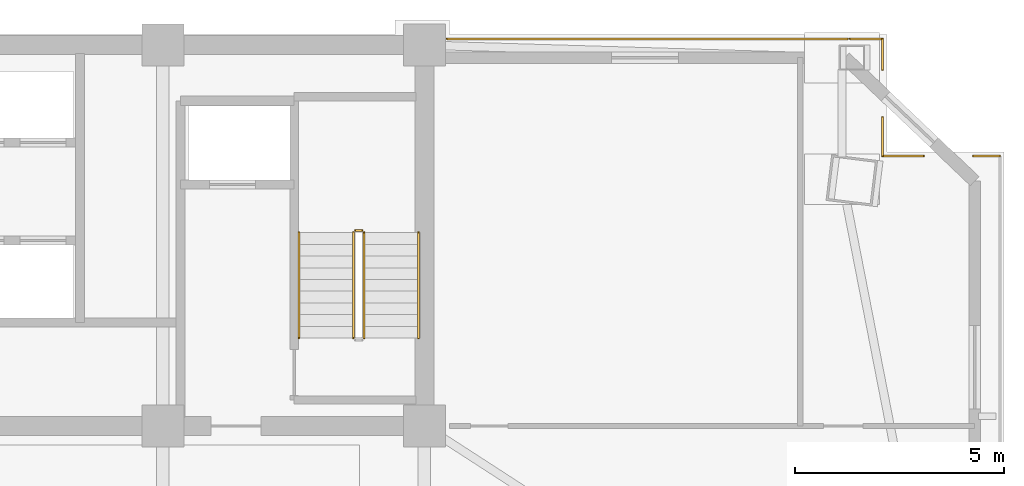
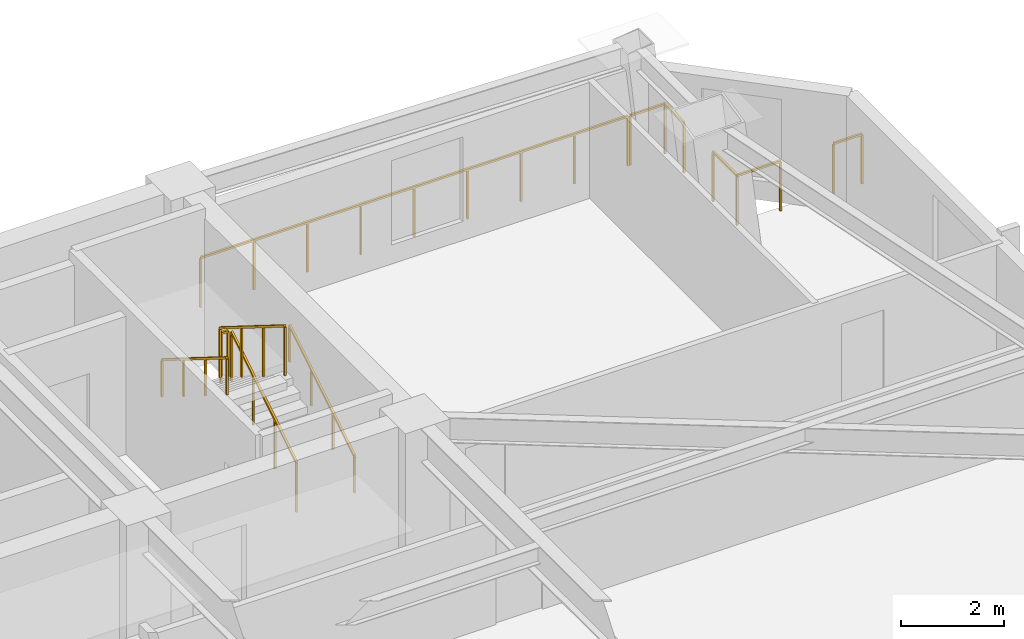
# One storey, part 16 of 16: 11 railings.
"""IFC4 building model written with IfcOpenShell, lengths in metres."""

import ifcopenshell
import ifcopenshell.guid

model = None  # the IFC model being written
_history = None  # IfcOwnerHistory: only IFC2X3 demands one
_inside = {}  # id of a spatial element -> (the spatial element, [elements in it])
_under = {}  # id of a project, library or spatial element -> (it, [spatial elements below it])
_declared = {}  # id of a project -> (the project, [libraries it declares])
_typed = {}  # id of a type object -> (the type object, [elements of that type])
_made_of = {}  # id of a material, layer set ... -> (it, [elements and type objects made of it])


def new_model(schema):
    """Start an empty IFC model of exactly this schema.

    Asked for "IFC4X3", IfcOpenShell would pick the latest addendum, in which some entities
    have other attributes; the version numbers below select the first issue.
    IFC2X3 requires an IfcOwnerHistory on every rooted entity: one is made here for all.
    """
    global model, _history
    if schema == "IFC4X3":
        model = ifcopenshell.file(schema_version=(4, 3, 0, 0))
    else:
        model = ifcopenshell.file(schema=schema)
    _inside.clear()
    _under.clear()
    _declared.clear()
    _typed.clear()
    _made_of.clear()
    _history = None
    if model.schema == "IFC2X3":
        org = make("IfcOrganization", Name="unknown")
        user = make(
            "IfcPersonAndOrganization",
            ThePerson=make("IfcPerson", FamilyName="unknown"),
            TheOrganization=org,
        )
        app = make(
            "IfcApplication",
            ApplicationDeveloper=org,
            Version="unknown",
            ApplicationFullName="unknown",
            ApplicationIdentifier="unknown",
        )
        _history = make(
            "IfcOwnerHistory",
            OwningUser=user,
            OwningApplication=app,
            ChangeAction="ADDED",
            CreationDate=0,
        )
    return model


def make(cls, **values):
    """One entity of the class cls with the attributes given. An attribute that is None is left unset."""
    return model.create_entity(
        cls, **{name: value for name, value in values.items() if value is not None}
    )


def rooted(cls, **values):
    """An entity with a GlobalId (a new one), such as an element, a storey or a relation."""
    return make(cls, GlobalId=ifcopenshell.guid.new(), OwnerHistory=_history, **values)


def si_unit(unit_type, name, prefix=None):
    """IfcSIUnit, for example si_unit("LENGTHUNIT", "METRE", prefix="MILLI")."""
    return make("IfcSIUnit", UnitType=unit_type, Prefix=prefix, Name=name)


def assignment(units):
    """IfcUnitAssignment: the units of a project."""
    return None if units is None else make("IfcUnitAssignment", Units=units)


def point(xyz):
    """IfcCartesianPoint."""
    return None if xyz is None else make("IfcCartesianPoint", Coordinates=xyz)


def direction(xyz):
    """IfcDirection."""
    return None if xyz is None else make("IfcDirection", DirectionRatios=xyz)


def frame(location, z_axis=None, x_axis=None):
    """IfcAxis2Placement3D, a coordinate frame: its origin and axes. An axis left out is left unset."""
    return make(
        "IfcAxis2Placement3D",
        Location=point(location),
        Axis=direction(z_axis),
        RefDirection=direction(x_axis),
    )


def frame_2d(location, x_axis=None):
    """IfcAxis2Placement2D, a coordinate frame in the plane: its origin and x axis."""
    return make(
        "IfcAxis2Placement2D", Location=point(location), RefDirection=direction(x_axis)
    )


def origin():
    """The frame at (0, 0, 0) with its axes left unset."""
    return frame((0.0, 0.0, 0.0))


def origin_2d():
    """The frame at (0, 0) in the plane with its x axis left unset."""
    return frame_2d((0.0, 0.0))


def place(relative_to, where):
    """IfcLocalPlacement: puts the frame where relative to a parent placement (None: the world)."""
    return make(
        "IfcLocalPlacement", PlacementRelTo=relative_to, RelativePlacement=where
    )


def context(
    kind, dimensions, precision=None, world=None, true_north=None, identifier=None
):
    """IfcGeometricRepresentationContext, for example the 3D "Model" context."""
    return make(
        "IfcGeometricRepresentationContext",
        ContextIdentifier=identifier,
        ContextType=kind,
        CoordinateSpaceDimension=dimensions,
        Precision=precision,
        WorldCoordinateSystem=world,
        TrueNorth=true_north,
    )


def subcontext(parent, identifier, kind, view, scale=None):
    """IfcGeometricRepresentationSubContext, for example "Body" below "Model"."""
    return make(
        "IfcGeometricRepresentationSubContext",
        ContextIdentifier=identifier,
        ContextType=kind,
        ParentContext=parent,
        TargetScale=scale,
        TargetView=view,
    )


def project(units=None, contexts=None):
    """IfcProject with its units and contexts."""
    return rooted(
        "IfcProject",
        Name="project",
        RepresentationContexts=contexts,
        UnitsInContext=assignment(units),
    )


def spatial(cls, under=None, at=None, **own):
    """A site, building, storey or space (cls), placed at a placement, below another one or the project."""
    s = rooted(cls, ObjectPlacement=at, **own)
    if under is not None:
        _under.setdefault(under.id(), (under, []))[1].append(s)
    return s


def profile(cls, at=None, kind="AREA", **sizes):
    """A parametric profile (cls). Its sizes go by their IFC names, for example OverallWidth=200.0."""
    return make(cls, ProfileType=kind, Position=at, **sizes)


def rectangle(**sizes):
    """IfcRectangleProfileDef."""
    return profile("IfcRectangleProfileDef", **sizes)


def extrude(swept, where, along, depth):
    """IfcExtrudedAreaSolid: the profile swept, set in the frame where, extruded along a direction by depth."""
    return make(
        "IfcExtrudedAreaSolid",
        SweptArea=swept,
        Position=where,
        ExtrudedDirection=direction(along),
        Depth=depth,
    )


def shape(context_of_items, identifier, shape_type, items):
    """IfcShapeRepresentation: the items that make up one representation, for example the "Body"."""
    return make(
        "IfcShapeRepresentation",
        ContextOfItems=context_of_items,
        RepresentationIdentifier=identifier,
        RepresentationType=shape_type,
        Items=items,
    )


def material(Name=None, Category=None):
    """IfcMaterial."""
    return make("IfcMaterial", Name=Name, Category=Category)


def made_of(thing, what):
    """Note that an element or type object is made of a material, layer set ...; save() writes the relation."""
    if what is not None:
        _made_of.setdefault(what.id(), (what, []))[1].append(thing)
    return thing


def type_object(cls, material=None, **own):
    """A type object (cls), such as IfcWallType, which elements share."""
    return made_of(rooted(cls, **own), material)


def element(
    cls,
    number,
    at=None,
    inside=None,
    cuts=None,
    type_object=None,
    material=None,
    context=None,
    identifier="Body",
    shape_type=None,
    held_by="IfcProductDefinitionShape",
    body=None,
    shapes=None,
    **own,
):
    """One element of the class cls, such as IfcWall. Its Tag is "e" and its number.

    at: its placement. inside: the storey or other place that contains it. cuts: it is an
    opening in that element (IfcRelVoidsElement). A single representation is given by context,
    identifier, shape_type and body (its items); several are given by shapes. held_by: the class
    of the entity that holds the representations. save() writes the other relations.
    """
    e = rooted(cls, Tag="e%d" % number, ObjectPlacement=at, **own)
    if body is not None:
        shapes = [shape(context, identifier, shape_type, body)]
    if shapes is not None:
        e.Representation = make(held_by, Representations=shapes)
    if inside is not None:
        _inside.setdefault(inside.id(), (inside, []))[1].append(e)
    if cuts is not None:
        rooted(
            "IfcRelVoidsElement", RelatingBuildingElement=cuts, RelatedOpeningElement=e
        )
    if type_object is not None:
        _typed.setdefault(type_object.id(), (type_object, []))[1].append(e)
    return made_of(e, material)


def aggregate(whole, parts):
    """IfcRelAggregates: a whole, such as a stair, and the parts it consists of."""
    return rooted("IfcRelAggregates", RelatingObject=whole, RelatedObjects=parts)


def save(model, path):
    """Write the relations noted so far, then the file.

    IfcRelAggregates (storeys below a building ...), IfcRelContainedInSpatialStructure (elements
    in a storey), IfcRelDefinesByType, IfcRelAssociatesMaterial and IfcRelDeclares: one each for
    every whole, place, type object, material and project.
    """
    for whole, parts in _under.values():
        aggregate(whole, parts)
    for where, things in _inside.values():
        rooted(
            "IfcRelContainedInSpatialStructure",
            RelatedElements=things,
            RelatingStructure=where,
        )
    for kind, things in _typed.values():
        rooted("IfcRelDefinesByType", RelatedObjects=things, RelatingType=kind)
    for what, things in _made_of.values():
        rooted("IfcRelAssociatesMaterial", RelatedObjects=things, RelatingMaterial=what)
    for by, libraries in _declared.values():
        rooted("IfcRelDeclares", RelatingContext=by, RelatedDefinitions=libraries)
    model.write(path)


model = new_model("IFC4")

# Units and contexts
model_context = context("Model", 3, precision=1e-05, world=origin(), true_north=direction((0.0, 1.0)))
body_context = subcontext(model_context, "Body", "Model", "MODEL_VIEW")
ifc_project = project(units=[si_unit("LENGTHUNIT", "METRE"), si_unit("AREAUNIT", "SQUARE_METRE"), si_unit("VOLUMEUNIT", "CUBIC_METRE"), si_unit("PLANEANGLEUNIT", "RADIAN"), si_unit("MASSUNIT", "GRAM", prefix="KILO")], contexts=[model_context])

# Site, building, storey
site_placement = place(None, origin())
site = spatial("IfcSite", under=ifc_project, at=site_placement, CompositionType="ELEMENT")
building_placement = place(site_placement, origin())
building = spatial("IfcBuilding", under=site, at=building_placement, Name="Giltprow Tower", CompositionType="ELEMENT")
storey_placement = place(building_placement, frame((0.0, 0.0, 209.699951171875)))
storey = spatial("IfcBuildingStorey", under=building, at=storey_placement, Name="L53", CompositionType="ELEMENT", Elevation=209.699951171875)

# Railings
ifc_material = material(Name="Anodized bronze", Category="metal")
railing_type_1 = type_object("IfcRailingType", Name="RAIL-BALC-GUARD-1200", PredefinedType="BALUSTRADE", material=ifc_material)
railing_1_placement = place(storey_placement, frame((51.0849609375, 46.699951171875, 0.0)))
element("IfcRailing", 1, at=railing_1_placement, inside=storey, type_object=railing_type_1, Name="L53 Corner Apron Edge Balustrade 20", PredefinedType="BALUSTRADE", context=body_context, shape_type="SweptSolid", body=[
    extrude(rectangle(XDim=0.048095703125, YDim=0.048095703125, at=origin_2d()), frame((0.0, 0.0, 1.17578125), z_axis=(1.0, 0.0, 0.0), x_axis=(0.0, 1.0, 0.0)), (0.0, 0.0, 1.0), 9.58203125),
    extrude(rectangle(XDim=0.0419921875, YDim=0.0419921875, at=origin_2d()), origin(), (0.0, 0.0, 1.0), 1.15185546875),
    extrude(rectangle(XDim=0.0419921875, YDim=0.0419921875, at=origin_2d()), frame((1.19775390625, 0.0, 0.0)), (0.0, 0.0, 1.0), 1.15185546875),
    extrude(rectangle(XDim=0.0419921875, YDim=0.0419921875, at=origin_2d()), frame((2.3955078125, 0.0, 0.0)), (0.0, 0.0, 1.0), 1.15185546875),
    extrude(rectangle(XDim=0.0419921875, YDim=0.0419921875, at=origin_2d()), frame((3.59326171875, 0.0, 0.0)), (0.0, 0.0, 1.0), 1.15185546875),
    extrude(rectangle(XDim=0.0419921875, YDim=0.0419921875, at=origin_2d()), frame((4.791015625, 0.0, 0.0)), (0.0, 0.0, 1.0), 1.15185546875),
    extrude(rectangle(XDim=0.0419921875, YDim=0.0419921875, at=origin_2d()), frame((5.98876953125, 0.0, 0.0)), (0.0, 0.0, 1.0), 1.15185546875),
    extrude(rectangle(XDim=0.0419921875, YDim=0.0419921875, at=origin_2d()), frame((7.1865234375, 0.0, 0.0)), (0.0, 0.0, 1.0), 1.15185546875),
    extrude(rectangle(XDim=0.0419921875, YDim=0.0419921875, at=origin_2d()), frame((8.38427734375, 0.0, 0.0)), (0.0, 0.0, 1.0), 1.15185546875),
    extrude(rectangle(XDim=0.0419921875, YDim=0.0419921875, at=origin_2d()), frame((9.58203125, 0.0, 0.0)), (0.0, 0.0, 1.0), 1.15185546875),
])
railing_2_placement = place(storey_placement, frame((60.719970703125, 46.699951171875, 0.0)))
element("IfcRailing", 2, at=railing_2_placement, inside=storey, type_object=railing_type_1, Name="L53 Corner Apron Edge Balustrade 21", PredefinedType="BALUSTRADE", context=body_context, shape_type="SweptSolid", body=[
    extrude(rectangle(XDim=0.048095703125, YDim=0.048095703125, at=origin_2d()), frame((0.0, 0.0, 1.17578125), z_axis=(1.0, 0.0, 0.0), x_axis=(0.0, 1.0, 0.0)), (0.0, 0.0, 1.0), 0.778076171875),
    extrude(rectangle(XDim=0.0419921875, YDim=0.0419921875, at=origin_2d()), origin(), (0.0, 0.0, 1.0), 1.15185546875),
    extrude(rectangle(XDim=0.0419921875, YDim=0.0419921875, at=origin_2d()), frame((0.778076171875, 0.0, 0.0)), (0.0, 0.0, 1.0), 1.15185546875),
])
railing_3_placement = place(storey_placement, frame((61.498046875, 46.699951171875, 0.0)))
element("IfcRailing", 3, at=railing_3_placement, inside=storey, type_object=railing_type_1, Name="L53 Corner Apron Edge Balustrade 22", PredefinedType="BALUSTRADE", context=body_context, shape_type="SweptSolid", body=[
    extrude(rectangle(XDim=0.048095703125, YDim=0.048095703125, at=origin_2d()), frame((0.0, 0.0, 1.17578125), z_axis=(0.0, -1.0, 0.0), x_axis=(1.0, 0.0, 0.0)), (0.0, 0.0, 1.0), 0.739990234375),
    extrude(rectangle(XDim=0.0419921875, YDim=0.0419921875, at=origin_2d()), origin(), (0.0, 0.0, 1.0), 1.15185546875),
    extrude(rectangle(XDim=0.0419921875, YDim=0.0419921875, at=origin_2d()), frame((0.0, -0.739990234375, 0.0)), (0.0, 0.0, 1.0), 1.15185546875),
])
railing_4_placement = place(storey_placement, frame((61.498046875, 44.827880859375, 0.0)))
element("IfcRailing", 4, at=railing_4_placement, inside=storey, type_object=railing_type_1, Name="L53 Corner Apron Edge Balustrade 23", PredefinedType="BALUSTRADE", context=body_context, shape_type="SweptSolid", body=[
    extrude(rectangle(XDim=0.048095703125, YDim=0.048095703125, at=origin_2d()), frame((0.0, 0.0, 1.17578125), z_axis=(0.0, -1.0, 0.0), x_axis=(1.0, 0.0, 0.0)), (0.0, 0.0, 1.0), 0.927978515625),
    extrude(rectangle(XDim=0.0419921875, YDim=0.0419921875, at=origin_2d()), origin(), (0.0, 0.0, 1.0), 1.15185546875),
    extrude(rectangle(XDim=0.0419921875, YDim=0.0419921875, at=origin_2d()), frame((0.0, -0.927978515625, 0.0)), (0.0, 0.0, 1.0), 1.15185546875),
])
railing_5_placement = place(storey_placement, frame((61.498046875, 43.89990234375, 0.0)))
element("IfcRailing", 5, at=railing_5_placement, inside=storey, type_object=railing_type_1, Name="L53 Corner Apron Edge Balustrade 24", PredefinedType="BALUSTRADE", context=body_context, shape_type="SweptSolid", body=[
    extrude(rectangle(XDim=0.048095703125, YDim=0.048095703125, at=origin_2d()), frame((0.0, 0.0, 1.17578125), z_axis=(1.0, 0.0, 0.0), x_axis=(0.0, 1.0, 0.0)), (0.0, 0.0, 1.0), 0.974853515625),
    extrude(rectangle(XDim=0.0419921875, YDim=0.0419921875, at=origin_2d()), origin(), (0.0, 0.0, 1.0), 1.15185546875),
    extrude(rectangle(XDim=0.0419921875, YDim=0.0419921875, at=origin_2d()), frame((0.974853515625, 0.0, 0.0)), (0.0, 0.0, 1.0), 1.15185546875),
])
railing_6_placement = place(storey_placement, frame((63.662109375, 43.89990234375, 0.0)))
element("IfcRailing", 6, at=railing_6_placement, inside=storey, type_object=railing_type_1, Name="L53 Corner Apron Edge Balustrade 25", PredefinedType="BALUSTRADE", context=body_context, shape_type="SweptSolid", body=[
    extrude(rectangle(XDim=0.048095703125, YDim=0.048095703125, at=origin_2d()), frame((0.0, 0.0, 1.17578125), z_axis=(1.0, 0.0, 0.0), x_axis=(0.0, 1.0, 0.0)), (0.0, 0.0, 1.0), 0.635986328125),
    extrude(rectangle(XDim=0.0419921875, YDim=0.0419921875, at=origin_2d()), origin(), (0.0, 0.0, 1.0), 1.15185546875),
    extrude(rectangle(XDim=0.0419921875, YDim=0.0419921875, at=origin_2d()), frame((0.635986328125, 0.0, 0.0)), (0.0, 0.0, 1.0), 1.15185546875),
])
railing_type_2 = type_object("IfcRailingType", Name="RAIL-STAIR-GUARD-1200", PredefinedType="GUARDRAIL", material=ifc_material)
railing_7_placement = place(storey_placement, frame((49.110107421875, 39.550048828125, 0.175048828125)))
element("IfcRailing", 7, at=railing_7_placement, inside=storey, type_object=railing_type_2, Name="L53 ST-3 stair guard 1", PredefinedType="GUARDRAIL", context=body_context, shape_type="SweptSolid", body=[
    extrude(rectangle(XDim=0.048095703125, YDim=0.048095703125, at=origin_2d()), frame((0.0, 0.0, 1.17578125), z_axis=(0.0, 0.848007534815, 0.529984170421), x_axis=(-1.0, 0.0, 0.0)), (0.0, 0.0, 1.0), 2.9716796875),
    extrude(rectangle(XDim=0.0419921875, YDim=0.0419921875, at=origin_2d()), origin(), (0.0, 0.0, 1.0), 1.15185546875),
    extrude(rectangle(XDim=0.0419921875, YDim=0.0419921875, at=origin_2d()), frame((0.0, 0.840087890625, 0.52490234375)), (0.0, 0.0, 1.0), 1.15185546875),
    extrude(rectangle(XDim=0.0419921875, YDim=0.0419921875, at=origin_2d()), frame((0.0, 1.679931640625, 1.050048828125)), (0.0, 0.0, 1.0), 1.15185546875),
    extrude(rectangle(XDim=0.0419921875, YDim=0.0419921875, at=origin_2d()), frame((0.0, 2.52001953125, 1.574951171875)), (0.0, 0.0, 1.0), 1.15185546875),
])
railing_8_placement = place(storey_placement, frame((49.06005859375, 42.1201171875, 1.75)))
element("IfcRailing", 8, at=railing_8_placement, inside=storey, type_object=railing_type_2, Name="L53 ST-3 stair guard 2", PredefinedType="GUARDRAIL", context=body_context, shape_type="SweptSolid", body=[
    extrude(rectangle(XDim=0.048095703125, YDim=0.048095703125, at=origin_2d()), frame((0.0, 0.0, 1.17578125), z_axis=(-1.0, 0.0, 0.0), x_axis=(0.0, -1.0, 0.0)), (0.0, 0.0, 1.0), 0.16015625),
    extrude(rectangle(XDim=0.0419921875, YDim=0.0419921875, at=origin_2d()), origin(), (0.0, 0.0, 1.0), 1.15185546875),
    extrude(rectangle(XDim=0.0419921875, YDim=0.0419921875, at=origin_2d()), frame((-0.16015625, 0.0, 0.0)), (0.0, 0.0, 1.0), 1.15185546875),
])
railing_9_placement = place(storey_placement, frame((48.85009765625, 42.070068359375, 1.925048828125)))
element("IfcRailing", 9, at=railing_9_placement, inside=storey, type_object=railing_type_2, Name="L53 ST-3 stair guard 3", PredefinedType="GUARDRAIL", context=body_context, shape_type="SweptSolid", body=[
    extrude(rectangle(XDim=0.048095703125, YDim=0.048095703125, at=origin_2d()), frame((0.0, 0.0, 1.17578125), z_axis=(0.0, -0.848007534815, 0.529984170421), x_axis=(1.0, 0.0, 0.0)), (0.0, 0.0, 1.0), 2.9716796875),
    extrude(rectangle(XDim=0.0419921875, YDim=0.0419921875, at=origin_2d()), origin(), (0.0, 0.0, 1.0), 1.15185546875),
    extrude(rectangle(XDim=0.0419921875, YDim=0.0419921875, at=origin_2d()), frame((0.0, -0.840087890625, 0.52490234375)), (0.0, 0.0, 1.0), 1.15185546875),
    extrude(rectangle(XDim=0.0419921875, YDim=0.0419921875, at=origin_2d()), frame((0.0, -1.679931640625, 1.050048828125)), (0.0, 0.0, 1.0), 1.15185546875),
    extrude(rectangle(XDim=0.0419921875, YDim=0.0419921875, at=origin_2d()), frame((0.0, -2.52001953125, 1.574951171875)), (0.0, 0.0, 1.0), 1.15185546875),
])
railing_type_3 = type_object("IfcRailingType", Name="RAIL-STAIR-HAND-900", PredefinedType="HANDRAIL", material=ifc_material)
railing_10_placement = place(storey_placement, frame((50.409912109375, 39.550048828125, 0.175048828125)))
element("IfcRailing", 10, at=railing_10_placement, inside=storey, type_object=railing_type_3, Name="L53 ST-3 stair handrail 1", PredefinedType="HANDRAIL", context=body_context, shape_type="SweptSolid", body=[
    extrude(rectangle(XDim=0.048095703125, YDim=0.048095703125, at=origin_2d()), frame((0.0, 0.0, 0.8759765625), z_axis=(0.0, 0.848007534815, 0.529984170421), x_axis=(-1.0, 0.0, 0.0)), (0.0, 0.0, 1.0), 2.9716796875),
    extrude(rectangle(XDim=0.0419921875, YDim=0.0419921875, at=origin_2d()), origin(), (0.0, 0.0, 1.0), 0.851806640625),
    extrude(rectangle(XDim=0.0419921875, YDim=0.0419921875, at=origin_2d()), frame((0.0, 0.840087890625, 0.52490234375)), (0.0, 0.0, 1.0), 0.851806640625),
    extrude(rectangle(XDim=0.0419921875, YDim=0.0419921875, at=origin_2d()), frame((0.0, 1.679931640625, 1.050048828125)), (0.0, 0.0, 1.0), 0.851806640625),
    extrude(rectangle(XDim=0.0419921875, YDim=0.0419921875, at=origin_2d()), frame((0.0, 2.52001953125, 1.574951171875)), (0.0, 0.0, 1.0), 0.851806640625),
])
railing_11_placement = place(storey_placement, frame((47.550048828125, 42.070068359375, 1.925048828125)))
element("IfcRailing", 11, at=railing_11_placement, inside=storey, type_object=railing_type_3, Name="L53 ST-3 stair handrail 2", PredefinedType="HANDRAIL", context=body_context, shape_type="SweptSolid", body=[
    extrude(rectangle(XDim=0.048095703125, YDim=0.048095703125, at=origin_2d()), frame((0.0, 0.0, 0.8759765625), z_axis=(0.0, -0.848007534815, 0.529984170421), x_axis=(1.0, 0.0, 0.0)), (0.0, 0.0, 1.0), 2.9716796875),
    extrude(rectangle(XDim=0.0419921875, YDim=0.0419921875, at=origin_2d()), origin(), (0.0, 0.0, 1.0), 0.851806640625),
    extrude(rectangle(XDim=0.0419921875, YDim=0.0419921875, at=origin_2d()), frame((0.0, -0.840087890625, 0.52490234375)), (0.0, 0.0, 1.0), 0.851806640625),
    extrude(rectangle(XDim=0.0419921875, YDim=0.0419921875, at=origin_2d()), frame((0.0, -1.679931640625, 1.050048828125)), (0.0, 0.0, 1.0), 0.851806640625),
    extrude(rectangle(XDim=0.0419921875, YDim=0.0419921875, at=origin_2d()), frame((0.0, -2.52001953125, 1.574951171875)), (0.0, 0.0, 1.0), 0.851806640625),
])

save(model, "model.ifc")
